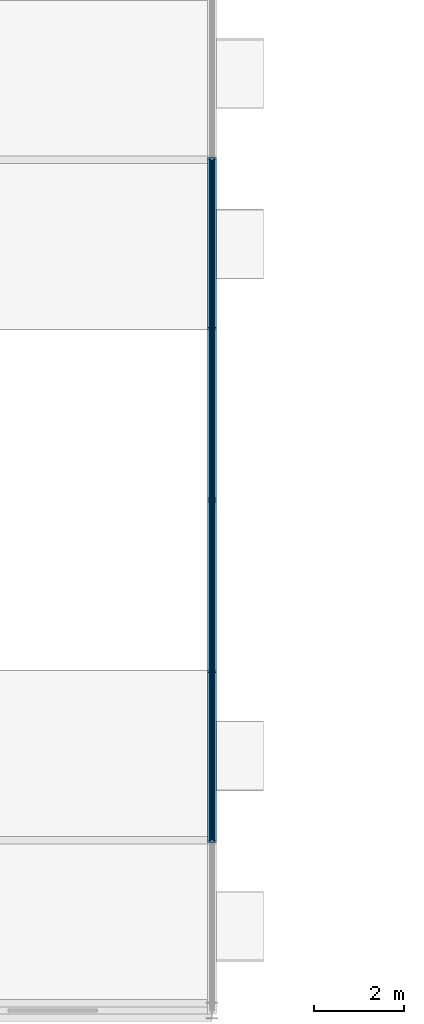
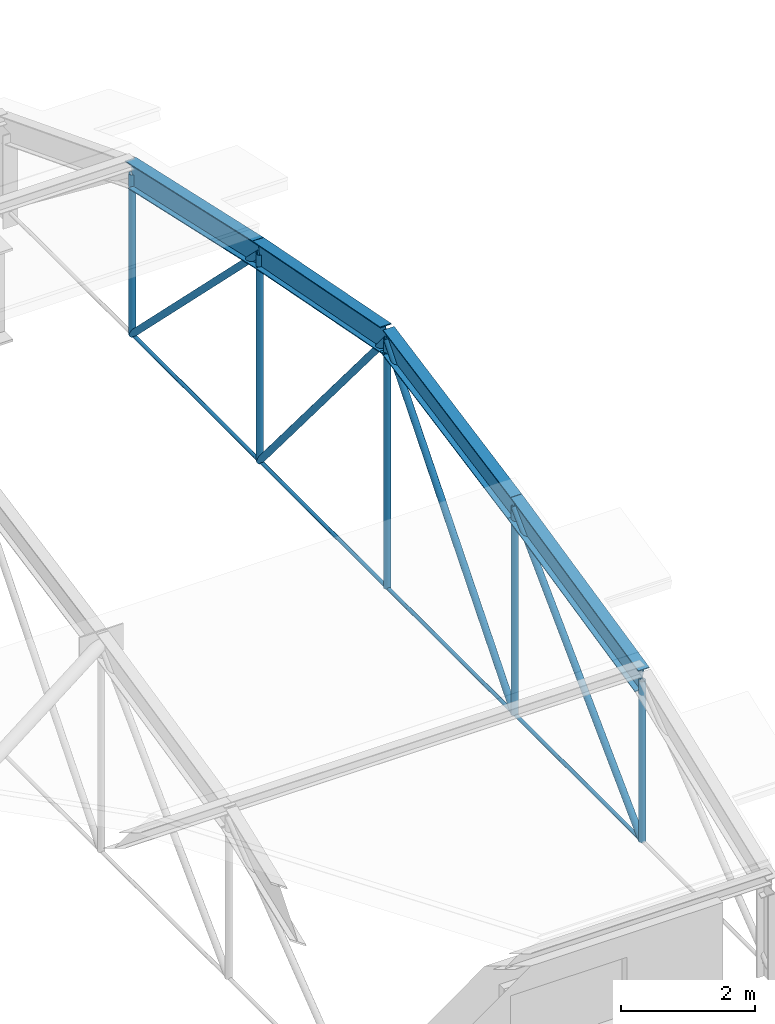
# One storey, part 21 of 53: 13 members, 4 beams.
"""IFC4 building model written with IfcOpenShell, lengths in metres."""

import ifcopenshell
import ifcopenshell.guid

model = None  # the IFC model being written
_history = None  # IfcOwnerHistory: only IFC2X3 demands one
_inside = {}  # id of a spatial element -> (the spatial element, [elements in it])
_under = {}  # id of a project, library or spatial element -> (it, [spatial elements below it])
_declared = {}  # id of a project -> (the project, [libraries it declares])
_typed = {}  # id of a type object -> (the type object, [elements of that type])
_made_of = {}  # id of a material, layer set ... -> (it, [elements and type objects made of it])


def new_model(schema):
    """Start an empty IFC model of exactly this schema.

    Asked for "IFC4X3", IfcOpenShell would pick the latest addendum, in which some entities
    have other attributes; the version numbers below select the first issue.
    IFC2X3 requires an IfcOwnerHistory on every rooted entity: one is made here for all.
    """
    global model, _history
    if schema == "IFC4X3":
        model = ifcopenshell.file(schema_version=(4, 3, 0, 0))
    else:
        model = ifcopenshell.file(schema=schema)
    _inside.clear()
    _under.clear()
    _declared.clear()
    _typed.clear()
    _made_of.clear()
    _history = None
    if model.schema == "IFC2X3":
        org = make("IfcOrganization", Name="unknown")
        user = make(
            "IfcPersonAndOrganization",
            ThePerson=make("IfcPerson", FamilyName="unknown"),
            TheOrganization=org,
        )
        app = make(
            "IfcApplication",
            ApplicationDeveloper=org,
            Version="unknown",
            ApplicationFullName="unknown",
            ApplicationIdentifier="unknown",
        )
        _history = make(
            "IfcOwnerHistory",
            OwningUser=user,
            OwningApplication=app,
            ChangeAction="ADDED",
            CreationDate=0,
        )
    return model


def make(cls, **values):
    """One entity of the class cls with the attributes given. An attribute that is None is left unset."""
    return model.create_entity(
        cls, **{name: value for name, value in values.items() if value is not None}
    )


def rooted(cls, **values):
    """An entity with a GlobalId (a new one), such as an element, a storey or a relation."""
    return make(cls, GlobalId=ifcopenshell.guid.new(), OwnerHistory=_history, **values)


def si_unit(unit_type, name, prefix=None):
    """IfcSIUnit, for example si_unit("LENGTHUNIT", "METRE", prefix="MILLI")."""
    return make("IfcSIUnit", UnitType=unit_type, Prefix=prefix, Name=name)


def assignment(units):
    """IfcUnitAssignment: the units of a project."""
    return None if units is None else make("IfcUnitAssignment", Units=units)


def point(xyz):
    """IfcCartesianPoint."""
    return None if xyz is None else make("IfcCartesianPoint", Coordinates=xyz)


def direction(xyz):
    """IfcDirection."""
    return None if xyz is None else make("IfcDirection", DirectionRatios=xyz)


def frame(location, z_axis=None, x_axis=None):
    """IfcAxis2Placement3D, a coordinate frame: its origin and axes. An axis left out is left unset."""
    return make(
        "IfcAxis2Placement3D",
        Location=point(location),
        Axis=direction(z_axis),
        RefDirection=direction(x_axis),
    )


def frame_2d(location, x_axis=None):
    """IfcAxis2Placement2D, a coordinate frame in the plane: its origin and x axis."""
    return make(
        "IfcAxis2Placement2D", Location=point(location), RefDirection=direction(x_axis)
    )


def origin_with_axes():
    """The frame at (0, 0, 0) with the z axis (0, 0, 1) and the x axis (1, 0, 0) written out."""
    return frame((0.0, 0.0, 0.0), z_axis=(0.0, 0.0, 1.0), x_axis=(1.0, 0.0, 0.0))


def origin_2d_with_axis():
    """The frame at (0, 0) in the plane with the x axis (1, 0) written out."""
    return frame_2d((0.0, 0.0), x_axis=(1.0, 0.0))


def place(relative_to, where):
    """IfcLocalPlacement: puts the frame where relative to a parent placement (None: the world)."""
    return make(
        "IfcLocalPlacement", PlacementRelTo=relative_to, RelativePlacement=where
    )


def context(
    kind, dimensions, precision=None, world=None, true_north=None, identifier=None
):
    """IfcGeometricRepresentationContext, for example the 3D "Model" context."""
    return make(
        "IfcGeometricRepresentationContext",
        ContextIdentifier=identifier,
        ContextType=kind,
        CoordinateSpaceDimension=dimensions,
        Precision=precision,
        WorldCoordinateSystem=world,
        TrueNorth=true_north,
    )


def subcontext(parent, identifier, kind, view, scale=None):
    """IfcGeometricRepresentationSubContext, for example "Body" below "Model"."""
    return make(
        "IfcGeometricRepresentationSubContext",
        ContextIdentifier=identifier,
        ContextType=kind,
        ParentContext=parent,
        TargetScale=scale,
        TargetView=view,
    )


def project(units=None, contexts=None):
    """IfcProject with its units and contexts."""
    return rooted(
        "IfcProject",
        Name="project",
        RepresentationContexts=contexts,
        UnitsInContext=assignment(units),
    )


def spatial(cls, under=None, at=None, **own):
    """A site, building, storey or space (cls), placed at a placement, below another one or the project."""
    s = rooted(cls, ObjectPlacement=at, **own)
    if under is not None:
        _under.setdefault(under.id(), (under, []))[1].append(s)
    return s


def profile(cls, at=None, kind="AREA", **sizes):
    """A parametric profile (cls). Its sizes go by their IFC names, for example OverallWidth=200.0."""
    return make(cls, ProfileType=kind, Position=at, **sizes)


def circle(**sizes):
    """IfcCircleProfileDef."""
    return profile("IfcCircleProfileDef", **sizes)


def hollow_circle(**sizes):
    """IfcCircleHollowProfileDef."""
    return profile("IfcCircleHollowProfileDef", **sizes)


def i_section(**sizes):
    """IfcIShapeProfileDef."""
    return profile("IfcIShapeProfileDef", **sizes)


def extrude(swept, where, along, depth):
    """IfcExtrudedAreaSolid: the profile swept, set in the frame where, extruded along a direction by depth."""
    return make(
        "IfcExtrudedAreaSolid",
        SweptArea=swept,
        Position=where,
        ExtrudedDirection=direction(along),
        Depth=depth,
    )


def shape(context_of_items, identifier, shape_type, items):
    """IfcShapeRepresentation: the items that make up one representation, for example the "Body"."""
    return make(
        "IfcShapeRepresentation",
        ContextOfItems=context_of_items,
        RepresentationIdentifier=identifier,
        RepresentationType=shape_type,
        Items=items,
    )


def material(Name=None, Category=None):
    """IfcMaterial."""
    return make("IfcMaterial", Name=Name, Category=Category)


def material_profile(
    of_material, cross_section, Name=None, Category=None, Priority=None
):
    """IfcMaterialProfile: a cross section and its material."""
    return make(
        "IfcMaterialProfile",
        Name=Name,
        Material=of_material,
        Profile=cross_section,
        Priority=Priority,
        Category=Category,
    )


def profile_set(profiles, Name=None, composite=None):
    """IfcMaterialProfileSet."""
    return make(
        "IfcMaterialProfileSet",
        Name=Name,
        MaterialProfiles=profiles,
        CompositeProfile=composite,
    )


def made_of(thing, what):
    """Note that an element or type object is made of a material, layer set ...; save() writes the relation."""
    if what is not None:
        _made_of.setdefault(what.id(), (what, []))[1].append(thing)
    return thing


def type_object(cls, material=None, **own):
    """A type object (cls), such as IfcWallType, which elements share."""
    return made_of(rooted(cls, **own), material)


def element(
    cls,
    number,
    at=None,
    inside=None,
    cuts=None,
    type_object=None,
    material=None,
    context=None,
    identifier="Body",
    shape_type=None,
    held_by="IfcProductDefinitionShape",
    body=None,
    shapes=None,
    **own,
):
    """One element of the class cls, such as IfcWall. Its Tag is "e" and its number.

    at: its placement. inside: the storey or other place that contains it. cuts: it is an
    opening in that element (IfcRelVoidsElement). A single representation is given by context,
    identifier, shape_type and body (its items); several are given by shapes. held_by: the class
    of the entity that holds the representations. save() writes the other relations.
    """
    e = rooted(cls, Tag="e%d" % number, ObjectPlacement=at, **own)
    if body is not None:
        shapes = [shape(context, identifier, shape_type, body)]
    if shapes is not None:
        e.Representation = make(held_by, Representations=shapes)
    if inside is not None:
        _inside.setdefault(inside.id(), (inside, []))[1].append(e)
    if cuts is not None:
        rooted(
            "IfcRelVoidsElement", RelatingBuildingElement=cuts, RelatedOpeningElement=e
        )
    if type_object is not None:
        _typed.setdefault(type_object.id(), (type_object, []))[1].append(e)
    return made_of(e, material)


def aggregate(whole, parts):
    """IfcRelAggregates: a whole, such as a stair, and the parts it consists of."""
    return rooted("IfcRelAggregates", RelatingObject=whole, RelatedObjects=parts)


def save(model, path):
    """Write the relations noted so far, then the file.

    IfcRelAggregates (storeys below a building ...), IfcRelContainedInSpatialStructure (elements
    in a storey), IfcRelDefinesByType, IfcRelAssociatesMaterial and IfcRelDeclares: one each for
    every whole, place, type object, material and project.
    """
    for whole, parts in _under.values():
        aggregate(whole, parts)
    for where, things in _inside.values():
        rooted(
            "IfcRelContainedInSpatialStructure",
            RelatedElements=things,
            RelatingStructure=where,
        )
    for kind, things in _typed.values():
        rooted("IfcRelDefinesByType", RelatedObjects=things, RelatingType=kind)
    for what, things in _made_of.values():
        rooted("IfcRelAssociatesMaterial", RelatedObjects=things, RelatingMaterial=what)
    for by, libraries in _declared.values():
        rooted("IfcRelDeclares", RelatingContext=by, RelatedDefinitions=libraries)
    model.write(path)


model = new_model("IFC4")

# Units and contexts
model_context = context("Model", 3, precision=1e-05, world=origin_with_axes(), true_north=direction((0.0, 1.0)))
body_context = subcontext(model_context, "Body", "Model", "MODEL_VIEW")
ifc_project = project(units=[si_unit("LENGTHUNIT", "METRE"), si_unit("AREAUNIT", "SQUARE_METRE"), si_unit("VOLUMEUNIT", "CUBIC_METRE"), si_unit("PLANEANGLEUNIT", "RADIAN"), si_unit("MASSUNIT", "GRAM", prefix="KILO"), si_unit("THERMODYNAMICTEMPERATUREUNIT", "KELVIN")], contexts=[model_context])

# Site, building, storey
site_placement = place(None, origin_with_axes())
site = spatial("IfcSite", under=ifc_project, at=site_placement, CompositionType="ELEMENT")
building_placement = place(site_placement, origin_with_axes())
building = spatial("IfcBuilding", under=site, at=building_placement, Name="Montbau Bow Law Courts", CompositionType="ELEMENT")
storey_placement = place(building_placement, frame((0.0, 0.0, 39.0), z_axis=(0.0, 0.0, 1.0), x_axis=(1.0, 0.0, 0.0)))
storey = spatial("IfcBuildingStorey", under=building, at=storey_placement, Name="L08", CompositionType="ELEMENT", Elevation=39.0)

# Beams
ifc_material = material(Name="Steel CSA G40.21 Grade 350WT (350 MPa)", Category="steel")
ifc_material_profile_1 = material_profile(ifc_material, i_section(OverallWidth=0.191, OverallDepth=0.46, WebThickness=0.0099, FlangeThickness=0.016, at=origin_2d_with_axis()), Name="W460X82", Category="Main", Priority=0)
ifc_profile_set_1 = profile_set([ifc_material_profile_1], Name="Steel CSA G40.21 Grade 350WT (350 MPa)")
beam_type = type_object("IfcBeamType", Name="B-ARC-02", PredefinedType="USERDEFINED", material=ifc_profile_set_1)
beam_1_placement = place(None, frame((105.0, 42.8, 42.178), z_axis=(0.0, 0.97610237, 0.217311212), x_axis=(-1.0, 0.0, 0.0)))
element("IfcBeam", 1, at=beam_1_placement, inside=storey, type_object=beam_type, Name="Barrel vault roof truss arch rib V3-140", ObjectType="ARCH_RIB", PredefinedType="USERDEFINED", context=body_context, shape_type="SweptSolid", body=[
    extrude(i_section(OverallWidth=0.191, OverallDepth=0.46, WebThickness=0.0099, FlangeThickness=0.016, at=origin_2d_with_axis()), origin_with_axes(), (0.0, 0.0, 1.0), 3.893034),
])
for number, where, z_axis, x_axis, name in (
    (2, (105.0, 46.6, 43.024), (0.0, 0.981513084, 0.191395051), (-1.0, 0.0, 0.0), "Barrel vault roof truss arch rib V3-141"),
    (3, (105.0, 50.4, 43.765), (0.0, 0.981513084, -0.191395051), (-1.0, 0.0, 0.0), "Barrel vault roof truss arch rib V3-142"),
):
    element("IfcBeam", number, at=place(None, frame(where, z_axis=z_axis, x_axis=x_axis)), inside=storey, type_object=beam_type, Name=name, ObjectType="ARCH_RIB", PredefinedType="USERDEFINED", context=body_context, shape_type="SweptSolid", body=[
        extrude(i_section(OverallWidth=0.191, OverallDepth=0.46, WebThickness=0.0099, FlangeThickness=0.016, at=origin_2d_with_axis()), origin_with_axes(), (0.0, 0.0, 1.0), 3.871573),
    ])
beam_2_placement = place(None, frame((105.0, 54.2, 43.024), z_axis=(0.0, 0.97610237, -0.217311212), x_axis=(-1.0, 0.0, 0.0)))
element("IfcBeam", 4, at=beam_2_placement, inside=storey, type_object=beam_type, Name="Barrel vault roof truss arch rib V3-143", ObjectType="ARCH_RIB", PredefinedType="USERDEFINED", context=body_context, shape_type="SweptSolid", body=[
    extrude(i_section(OverallWidth=0.191, OverallDepth=0.46, WebThickness=0.0099, FlangeThickness=0.016, at=origin_2d_with_axis()), origin_with_axes(), (0.0, 0.0, 1.0), 3.893034),
])

# Members
ifc_material_profile_2 = material_profile(ifc_material, hollow_circle(Radius=0.057, WallThickness=0.008, at=origin_2d_with_axis()), Name="HSS114X8.0", Category="Main", Priority=0)
ifc_profile_set_2 = profile_set([ifc_material_profile_2], Name="Steel CSA G40.21 Grade 350WT (350 MPa)")
member_type_1 = type_object("IfcMemberType", Name="M-STR-03", PredefinedType="STRUT", material=ifc_profile_set_2)
member_1_placement = place(None, frame((105.0, 42.8, 39.25), z_axis=(0.0, 0.709529954, 0.704675276), x_axis=(-1.0, 0.0, 0.0)))
element("IfcMember", 5, at=member_1_placement, inside=storey, type_object=member_type_1, Name="Barrel vault roof truss web diagonal V3-08-2", PredefinedType="STRUT", context=body_context, shape_type="SweptSolid", body=[
    extrude(hollow_circle(Radius=0.057, WallThickness=0.008, at=origin_2d_with_axis()), origin_with_axes(), (0.0, 0.0, 1.0), 5.355658),
])
for number, where, z_axis, x_axis, name in (
    (6, (105.0, 46.6, 39.25), (0.0, 0.643926993, 0.765086941), (-1.0, 0.0, 0.0), "Barrel vault roof truss web diagonal V3-08-3"),
    (7, (105.0, 50.4, 43.765), (0.0, 0.643926993, -0.765086941), (-1.0, 0.0, 0.0), "Barrel vault roof truss web diagonal V3-08-4"),
):
    element("IfcMember", number, at=place(None, frame(where, z_axis=z_axis, x_axis=x_axis)), inside=storey, type_object=member_type_1, Name=name, PredefinedType="STRUT", context=body_context, shape_type="SweptSolid", body=[
        extrude(hollow_circle(Radius=0.057, WallThickness=0.008, at=origin_2d_with_axis()), origin_with_axes(), (0.0, 0.0, 1.0), 5.90129),
    ])
member_2_placement = place(None, frame((105.0, 54.2, 43.024), z_axis=(0.0, 0.709529954, -0.704675276), x_axis=(-1.0, 0.0, 0.0)))
element("IfcMember", 8, at=member_2_placement, inside=storey, type_object=member_type_1, Name="Barrel vault roof truss web diagonal V3-08-5", PredefinedType="STRUT", context=body_context, shape_type="SweptSolid", body=[
    extrude(hollow_circle(Radius=0.057, WallThickness=0.008, at=origin_2d_with_axis()), origin_with_axes(), (0.0, 0.0, 1.0), 5.355658),
])
member_3_placement = place(None, frame((105.0, 42.8, 39.25), z_axis=(0.0, 0.0, 1.0), x_axis=(1.0, 0.0, 0.0)))
element("IfcMember", 9, at=member_3_placement, inside=storey, type_object=member_type_1, Name="Barrel vault roof truss web post V3-08-1", PredefinedType="STRUT", context=body_context, shape_type="SweptSolid", body=[
    extrude(hollow_circle(Radius=0.057, WallThickness=0.008, at=origin_2d_with_axis()), origin_with_axes(), (0.0, 0.0, 1.0), 2.928),
])
member_4_placement = place(None, frame((105.0, 46.6, 39.25), z_axis=(0.0, 0.0, 1.0), x_axis=(1.0, 0.0, 0.0)))
element("IfcMember", 10, at=member_4_placement, inside=storey, type_object=member_type_1, Name="Barrel vault roof truss web post V3-08-2", PredefinedType="STRUT", context=body_context, shape_type="SweptSolid", body=[
    extrude(hollow_circle(Radius=0.057, WallThickness=0.008, at=origin_2d_with_axis()), origin_with_axes(), (0.0, 0.0, 1.0), 3.774),
])
member_5_placement = place(None, frame((105.0, 50.4, 39.25), z_axis=(0.0, 0.0, 1.0), x_axis=(1.0, 0.0, 0.0)))
element("IfcMember", 11, at=member_5_placement, inside=storey, type_object=member_type_1, Name="Barrel vault roof truss web post V3-08-3", PredefinedType="STRUT", context=body_context, shape_type="SweptSolid", body=[
    extrude(hollow_circle(Radius=0.057, WallThickness=0.008, at=origin_2d_with_axis()), origin_with_axes(), (0.0, 0.0, 1.0), 4.515),
])
member_6_placement = place(None, frame((105.0, 54.2, 39.25), z_axis=(0.0, 0.0, 1.0), x_axis=(1.0, 0.0, 0.0)))
element("IfcMember", 12, at=member_6_placement, inside=storey, type_object=member_type_1, Name="Barrel vault roof truss web post V3-08-4", PredefinedType="STRUT", context=body_context, shape_type="SweptSolid", body=[
    extrude(hollow_circle(Radius=0.057, WallThickness=0.008, at=origin_2d_with_axis()), origin_with_axes(), (0.0, 0.0, 1.0), 3.774),
])
member_7_placement = place(None, frame((105.0, 58.0, 39.25), z_axis=(0.0, 0.0, 1.0), x_axis=(1.0, 0.0, 0.0)))
element("IfcMember", 13, at=member_7_placement, inside=storey, type_object=member_type_1, Name="Barrel vault roof truss web post V3-08-5", PredefinedType="STRUT", context=body_context, shape_type="SweptSolid", body=[
    extrude(hollow_circle(Radius=0.057, WallThickness=0.008, at=origin_2d_with_axis()), origin_with_axes(), (0.0, 0.0, 1.0), 2.928),
])
ifc_material_profile_3 = material_profile(ifc_material, circle(Radius=0.032, at=origin_2d_with_axis()), Name="ROD64", Category="Main", Priority=0)
ifc_profile_set_3 = profile_set([ifc_material_profile_3], Name="Steel CSA G40.21 Grade 350WT (350 MPa)")
member_type_2 = type_object("IfcMemberType", Name="M-TIE-02", PredefinedType="USERDEFINED", material=ifc_profile_set_3)
for number, where, z_axis, x_axis, name in (
    (14, (105.0, 42.8, 39.25), (0.0, 1.0, 0.0), (-1.0, 0.0, 0.0), "Barrel vault roof truss tie V3-140"),
    (15, (105.0, 46.6, 39.25), (0.0, 1.0, 0.0), (-1.0, 0.0, 0.0), "Barrel vault roof truss tie V3-141"),
    (16, (105.0, 50.4, 39.25), (0.0, 1.0, 0.0), (-1.0, 0.0, 0.0), "Barrel vault roof truss tie V3-142"),
    (17, (105.0, 54.2, 39.25), (0.0, 1.0, 0.0), (-1.0, 0.0, 0.0), "Barrel vault roof truss tie V3-143"),
):
    element("IfcMember", number, at=place(None, frame(where, z_axis=z_axis, x_axis=x_axis)), inside=storey, type_object=member_type_2, Name=name, ObjectType="TIEBAR", PredefinedType="USERDEFINED", context=body_context, shape_type="SweptSolid", body=[
        extrude(circle(Radius=0.032, at=origin_2d_with_axis()), origin_with_axes(), (0.0, 0.0, 1.0), 3.8),
    ])

save(model, "model.ifc")
